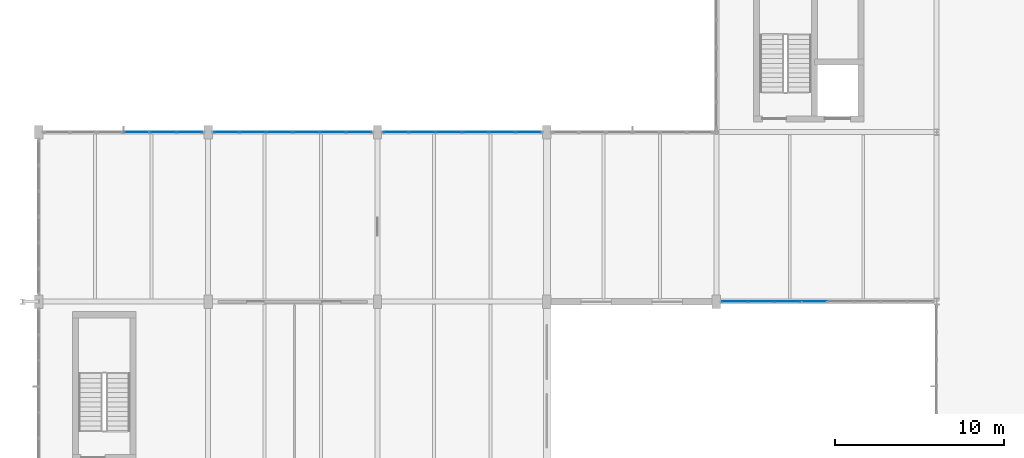
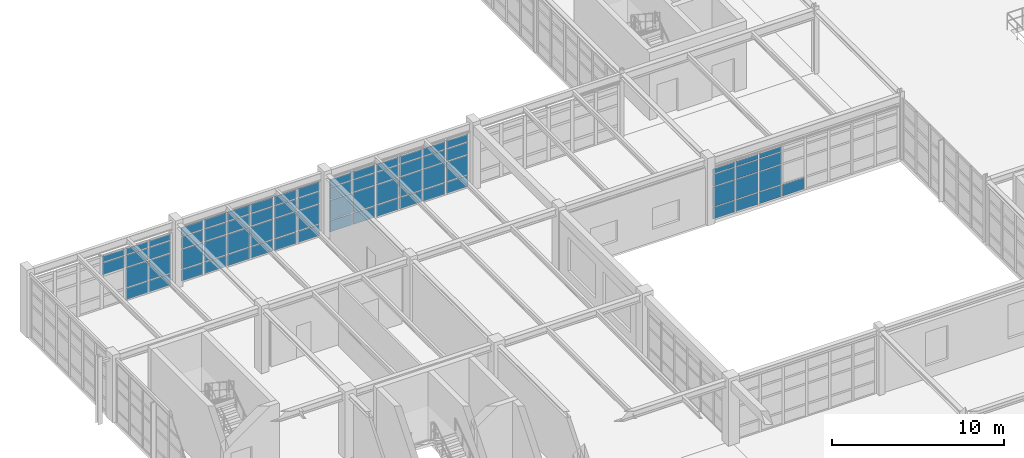
# One storey, part 89 of 139: 71 plates, 4 elements without a shape of their own.
"""IFC4 building model written with IfcOpenShell, lengths in metres."""

from ifc_helpers import new_model, si_unit, direction, frame, origin, origin_2d, place, context, subcontext, project, spatial, rectangle, extrude, material, layer, layer_set, type_object, element, aggregate, save


model = new_model("IFC4")

# Units and contexts
model_context = context("Model", 3, precision=1e-05, world=origin(), true_north=direction((0.0, 1.0)))
body_context = subcontext(model_context, "Body", "Model", "MODEL_VIEW")
ifc_project = project(units=[si_unit("LENGTHUNIT", "METRE"), si_unit("AREAUNIT", "SQUARE_METRE"), si_unit("VOLUMEUNIT", "CUBIC_METRE"), si_unit("PLANEANGLEUNIT", "RADIAN"), si_unit("MASSUNIT", "GRAM", prefix="KILO"), si_unit("THERMODYNAMICTEMPERATUREUNIT", "KELVIN"), si_unit("POWERUNIT", "WATT")], contexts=[model_context])

# Site, building, storey
site_placement = place(None, origin())
site = spatial("IfcSite", under=ifc_project, at=site_placement, CompositionType="ELEMENT")
building_placement = place(site_placement, origin())
building = spatial("IfcBuilding", under=site, at=building_placement, Name="Korenveer Ferry Terminal", CompositionType="ELEMENT")
storey_placement = place(building_placement, frame((0.0, 0.0, 5.39990234375)))
storey = spatial("IfcBuildingStorey", under=building, at=storey_placement, Name="L01", CompositionType="ELEMENT", Elevation=5.39990234375)

# Curtain wall, plates
ifc_material_1 = material(Name="Unitised bronze-and-glass curtain wall", Category="glass")
ifc_layer_1 = layer(ifc_material_1, 0.159912109375)
ifc_layer_set_1 = layer_set([ifc_layer_1], Name="Unitised bronze-and-glass curtain wall")
curtain_wall_type_1 = type_object("IfcCurtainWallType", Name="ENV-CW-46", PredefinedType="USERDEFINED", material=ifc_layer_set_1)
curtain_wall_1_placement = place(storey_placement, frame((40.280029296875, 70.0, 0.0)))
curtain_wall_1 = element("IfcCurtainWall", 1, at=curtain_wall_1_placement, inside=storey, type_object=curtain_wall_type_1, Name="Lancet curtain wall CWX-L01-X40-53-Y70-70", ObjectType="UNITISED CURTAIN WALL", PredefinedType="USERDEFINED")
ifc_material_2 = material(Name="Low-iron solar-control double glazing", Category="glass")
ifc_layer_2 = layer(ifc_material_2, 0.028076171875)
ifc_layer_set_2 = layer_set([ifc_layer_2], Name="Low-iron solar-control double glazing")
plate_type_1 = type_object("IfcPlateType", Name="ENV-CWP-GLZ28", PredefinedType="CURTAIN_PANEL", material=ifc_layer_set_2)
plate_1_placement = place(storey_placement, frame((41.078857421875, 70.0, 0.06005859375), z_axis=(0.0, 0.0, 1.0), x_axis=(1.0, 0.0, 0.0)))
plate_1 = element("IfcPlate", 2, at=plate_1_placement, type_object=plate_type_1, Name="CW-46 panel 1.1", PredefinedType="CURTAIN_PANEL", context=body_context, shape_type="SweptSolid", body=[
    extrude(rectangle(XDim=1.4775390625, YDim=0.028076171875, at=origin_2d()), origin(), (0.0, 0.0, 1.0), 0.81005859375),
])
plate_2_placement = place(storey_placement, frame((41.078857421875, 70.0, 0.93017578125), z_axis=(0.0, 0.0, 1.0), x_axis=(1.0, 0.0, 0.0)))
plate_2 = element("IfcPlate", 3, at=plate_2_placement, type_object=plate_type_1, Name="CW-46 panel 1.2", PredefinedType="CURTAIN_PANEL", context=body_context, shape_type="SweptSolid", body=[
    extrude(rectangle(XDim=1.4775390625, YDim=0.028076171875, at=origin_2d()), origin(), (0.0, 0.0, 1.0), 1.389892578125),
])
plate_3_placement = place(storey_placement, frame((41.078857421875, 70.0, 2.3798828125), z_axis=(0.0, 0.0, 1.0), x_axis=(1.0, 0.0, 0.0)))
plate_3 = element("IfcPlate", 4, at=plate_3_placement, type_object=plate_type_1, Name="CW-46 panel 1.3", PredefinedType="CURTAIN_PANEL", context=body_context, shape_type="SweptSolid", body=[
    extrude(rectangle(XDim=1.4775390625, YDim=0.028076171875, at=origin_2d()), origin(), (0.0, 0.0, 1.0), 0.840087890625),
])
plate_4_placement = place(storey_placement, frame((41.078857421875, 70.0, 3.280029296875), z_axis=(0.0, 0.0, 1.0), x_axis=(1.0, 0.0, 0.0)))
plate_4 = element("IfcPlate", 5, at=plate_4_placement, type_object=plate_type_1, Name="CW-46 panel 1.4", PredefinedType="CURTAIN_PANEL", context=body_context, shape_type="SweptSolid", body=[
    extrude(rectangle(XDim=1.4775390625, YDim=0.028076171875, at=origin_2d()), origin(), (0.0, 0.0, 1.0), 0.330078125),
])
plate_5_placement = place(storey_placement, frame((42.63134765625, 70.0, 0.06005859375), z_axis=(0.0, 0.0, 1.0), x_axis=(1.0, 0.0, 0.0)))
plate_5 = element("IfcPlate", 6, at=plate_5_placement, type_object=plate_type_1, Name="CW-46 panel 2.1", PredefinedType="CURTAIN_PANEL", context=body_context, shape_type="SweptSolid", body=[
    extrude(rectangle(XDim=1.507568359375, YDim=0.028076171875, at=origin_2d()), origin(), (0.0, 0.0, 1.0), 0.81005859375),
])
plate_6_placement = place(storey_placement, frame((42.63134765625, 70.0, 0.93017578125), z_axis=(0.0, 0.0, 1.0), x_axis=(1.0, 0.0, 0.0)))
plate_6 = element("IfcPlate", 7, at=plate_6_placement, type_object=plate_type_1, Name="CW-46 panel 2.2", PredefinedType="CURTAIN_PANEL", context=body_context, shape_type="SweptSolid", body=[
    extrude(rectangle(XDim=1.507568359375, YDim=0.028076171875, at=origin_2d()), origin(), (0.0, 0.0, 1.0), 1.389892578125),
])
plate_7_placement = place(storey_placement, frame((42.63134765625, 70.0, 2.3798828125), z_axis=(0.0, 0.0, 1.0), x_axis=(1.0, 0.0, 0.0)))
plate_7 = element("IfcPlate", 8, at=plate_7_placement, type_object=plate_type_1, Name="CW-46 panel 2.3", PredefinedType="CURTAIN_PANEL", context=body_context, shape_type="SweptSolid", body=[
    extrude(rectangle(XDim=1.507568359375, YDim=0.028076171875, at=origin_2d()), origin(), (0.0, 0.0, 1.0), 0.840087890625),
])
plate_8_placement = place(storey_placement, frame((42.63134765625, 70.0, 3.280029296875), z_axis=(0.0, 0.0, 1.0), x_axis=(1.0, 0.0, 0.0)))
plate_8 = element("IfcPlate", 9, at=plate_8_placement, type_object=plate_type_1, Name="CW-46 panel 2.4", PredefinedType="CURTAIN_PANEL", context=body_context, shape_type="SweptSolid", body=[
    extrude(rectangle(XDim=1.507568359375, YDim=0.028076171875, at=origin_2d()), origin(), (0.0, 0.0, 1.0), 0.330078125),
])
plate_9_placement = place(storey_placement, frame((44.19873046875, 70.0, 0.06005859375), z_axis=(0.0, 0.0, 1.0), x_axis=(1.0, 0.0, 0.0)))
plate_9 = element("IfcPlate", 10, at=plate_9_placement, type_object=plate_type_1, Name="CW-46 panel 3.1", PredefinedType="CURTAIN_PANEL", context=body_context, shape_type="SweptSolid", body=[
    extrude(rectangle(XDim=1.507568359375, YDim=0.028076171875, at=origin_2d()), origin(), (0.0, 0.0, 1.0), 0.81005859375),
])
plate_10_placement = place(storey_placement, frame((44.19873046875, 70.0, 0.93017578125), z_axis=(0.0, 0.0, 1.0), x_axis=(1.0, 0.0, 0.0)))
plate_10 = element("IfcPlate", 11, at=plate_10_placement, type_object=plate_type_1, Name="CW-46 panel 3.2", PredefinedType="CURTAIN_PANEL", context=body_context, shape_type="SweptSolid", body=[
    extrude(rectangle(XDim=1.507568359375, YDim=0.028076171875, at=origin_2d()), origin(), (0.0, 0.0, 1.0), 1.389892578125),
])
plate_11_placement = place(storey_placement, frame((44.19873046875, 70.0, 2.3798828125), z_axis=(0.0, 0.0, 1.0), x_axis=(1.0, 0.0, 0.0)))
plate_11 = element("IfcPlate", 12, at=plate_11_placement, type_object=plate_type_1, Name="CW-46 panel 3.3", PredefinedType="CURTAIN_PANEL", context=body_context, shape_type="SweptSolid", body=[
    extrude(rectangle(XDim=1.507568359375, YDim=0.028076171875, at=origin_2d()), origin(), (0.0, 0.0, 1.0), 0.840087890625),
])
plate_12_placement = place(storey_placement, frame((44.19873046875, 70.0, 3.280029296875), z_axis=(0.0, 0.0, 1.0), x_axis=(1.0, 0.0, 0.0)))
plate_12 = element("IfcPlate", 13, at=plate_12_placement, type_object=plate_type_1, Name="CW-46 panel 3.4", PredefinedType="CURTAIN_PANEL", context=body_context, shape_type="SweptSolid", body=[
    extrude(rectangle(XDim=1.507568359375, YDim=0.028076171875, at=origin_2d()), origin(), (0.0, 0.0, 1.0), 0.330078125),
])
plate_13_placement = place(storey_placement, frame((45.766357421875, 70.0, 0.06005859375), z_axis=(0.0, 0.0, 1.0), x_axis=(1.0, 0.0, 0.0)))
plate_13 = element("IfcPlate", 14, at=plate_13_placement, type_object=plate_type_1, Name="CW-46 panel 4.1", PredefinedType="CURTAIN_PANEL", context=body_context, shape_type="SweptSolid", body=[
    extrude(rectangle(XDim=1.507568359375, YDim=0.028076171875, at=origin_2d()), origin(), (0.0, 0.0, 1.0), 0.81005859375),
])
aggregate(curtain_wall_1, [plate_1, plate_2, plate_3, plate_4, plate_5, plate_6, plate_7, plate_8, plate_9, plate_10, plate_11, plate_12, plate_13])

ifc_layer_3 = layer(ifc_material_1, 0.219970703125)
ifc_layer_set_3 = layer_set([ifc_layer_3], Name="Unitised bronze-and-glass curtain wall")
curtain_wall_type_2 = type_object("IfcCurtainWallType", Name="ENV-CW-48", PredefinedType="USERDEFINED", material=ifc_layer_set_3)
curtain_wall_2_placement = place(storey_placement, frame((0.280029296875, 80.0, 0.0)))
curtain_wall_2 = element("IfcCurtainWall", 15, at=curtain_wall_2_placement, inside=storey, type_object=curtain_wall_type_2, Name="Lancet curtain wall CWX-L01-X0-10-Y80-80", ObjectType="UNITISED CURTAIN WALL", PredefinedType="USERDEFINED")
ifc_material_3 = material(Name="Acoustic laminated marine glazing", Category="glass")
ifc_layer_4 = layer(ifc_material_3, 0.035888671875)
ifc_layer_set_4 = layer_set([ifc_layer_4], Name="Acoustic laminated marine glazing")
plate_type_2 = type_object("IfcPlateType", Name="ENV-CWP-GLZ36", PredefinedType="CURTAIN_PANEL", material=ifc_layer_set_4)
plate_14_placement = place(storey_placement, frame((5.78662109375, 80.0, 2.3876953125), z_axis=(0.0, 0.0, 1.0), x_axis=(1.0, 0.0, 0.0)))
plate_14 = element("IfcPlate", 16, at=plate_14_placement, type_object=plate_type_2, Name="CW-48 panel 4.3", PredefinedType="CURTAIN_PANEL", context=body_context, shape_type="SweptSolid", body=[
    extrude(rectangle(XDim=1.498291015625, YDim=0.035888671875, at=origin_2d()), origin(), (0.0, 0.0, 1.0), 0.824951171875),
])
plate_15_placement = place(storey_placement, frame((5.78662109375, 80.0, 3.28759765625), z_axis=(0.0, 0.0, 1.0), x_axis=(1.0, 0.0, 0.0)))
plate_15 = element("IfcPlate", 17, at=plate_15_placement, type_object=plate_type_2, Name="CW-48 panel 4.4", PredefinedType="CURTAIN_PANEL", context=body_context, shape_type="SweptSolid", body=[
    extrude(rectangle(XDim=1.498291015625, YDim=0.035888671875, at=origin_2d()), origin(), (0.0, 0.0, 1.0), 0.407470703125),
])
plate_16_placement = place(storey_placement, frame((7.360107421875, 80.0, 0.074951171875), z_axis=(0.0, 0.0, 1.0), x_axis=(1.0, 0.0, 0.0)))
plate_16 = element("IfcPlate", 18, at=plate_16_placement, type_object=plate_type_2, Name="CW-48 panel 5.1", PredefinedType="CURTAIN_PANEL", context=body_context, shape_type="SweptSolid", body=[
    extrude(rectangle(XDim=1.498291015625, YDim=0.035888671875, at=origin_2d()), origin(), (0.0, 0.0, 1.0), 0.78759765625),
])
plate_17_placement = place(storey_placement, frame((7.360107421875, 80.0, 0.9375), z_axis=(0.0, 0.0, 1.0), x_axis=(1.0, 0.0, 0.0)))
plate_17 = element("IfcPlate", 19, at=plate_17_placement, type_object=plate_type_2, Name="CW-48 panel 5.2", PredefinedType="CURTAIN_PANEL", context=body_context, shape_type="SweptSolid", body=[
    extrude(rectangle(XDim=1.498291015625, YDim=0.035888671875, at=origin_2d()), origin(), (0.0, 0.0, 1.0), 1.375),
])
plate_18_placement = place(storey_placement, frame((7.360107421875, 80.0, 2.3876953125), z_axis=(0.0, 0.0, 1.0), x_axis=(1.0, 0.0, 0.0)))
plate_18 = element("IfcPlate", 20, at=plate_18_placement, type_object=plate_type_2, Name="CW-48 panel 5.3", PredefinedType="CURTAIN_PANEL", context=body_context, shape_type="SweptSolid", body=[
    extrude(rectangle(XDim=1.498291015625, YDim=0.035888671875, at=origin_2d()), origin(), (0.0, 0.0, 1.0), 0.824951171875),
])
plate_19_placement = place(storey_placement, frame((7.360107421875, 80.0, 3.28759765625), z_axis=(0.0, 0.0, 1.0), x_axis=(1.0, 0.0, 0.0)))
plate_19 = element("IfcPlate", 21, at=plate_19_placement, type_object=plate_type_2, Name="CW-48 panel 5.4", PredefinedType="CURTAIN_PANEL", context=body_context, shape_type="SweptSolid", body=[
    extrude(rectangle(XDim=1.498291015625, YDim=0.035888671875, at=origin_2d()), origin(), (0.0, 0.0, 1.0), 0.407470703125),
])
plate_20_placement = place(storey_placement, frame((8.91455078125, 80.0, 0.074951171875), z_axis=(0.0, 0.0, 1.0), x_axis=(1.0, 0.0, 0.0)))
plate_20 = element("IfcPlate", 22, at=plate_20_placement, type_object=plate_type_2, Name="CW-48 panel 6.1", PredefinedType="CURTAIN_PANEL", context=body_context, shape_type="SweptSolid", body=[
    extrude(rectangle(XDim=1.4609375, YDim=0.035888671875, at=origin_2d()), origin(), (0.0, 0.0, 1.0), 0.78759765625),
])
plate_21_placement = place(storey_placement, frame((8.91455078125, 80.0, 0.9375), z_axis=(0.0, 0.0, 1.0), x_axis=(1.0, 0.0, 0.0)))
plate_21 = element("IfcPlate", 23, at=plate_21_placement, type_object=plate_type_2, Name="CW-48 panel 6.2", PredefinedType="CURTAIN_PANEL", context=body_context, shape_type="SweptSolid", body=[
    extrude(rectangle(XDim=1.4609375, YDim=0.035888671875, at=origin_2d()), origin(), (0.0, 0.0, 1.0), 1.375),
])
plate_22_placement = place(storey_placement, frame((8.91455078125, 80.0, 2.3876953125), z_axis=(0.0, 0.0, 1.0), x_axis=(1.0, 0.0, 0.0)))
plate_22 = element("IfcPlate", 24, at=plate_22_placement, type_object=plate_type_2, Name="CW-48 panel 6.3", PredefinedType="CURTAIN_PANEL", context=body_context, shape_type="SweptSolid", body=[
    extrude(rectangle(XDim=1.4609375, YDim=0.035888671875, at=origin_2d()), origin(), (0.0, 0.0, 1.0), 0.824951171875),
])
plate_23_placement = place(storey_placement, frame((8.91455078125, 80.0, 3.28759765625), z_axis=(0.0, 0.0, 1.0), x_axis=(1.0, 0.0, 0.0)))
plate_23 = element("IfcPlate", 25, at=plate_23_placement, type_object=plate_type_2, Name="CW-48 panel 6.4", PredefinedType="CURTAIN_PANEL", context=body_context, shape_type="SweptSolid", body=[
    extrude(rectangle(XDim=1.4609375, YDim=0.035888671875, at=origin_2d()), origin(), (0.0, 0.0, 1.0), 0.407470703125),
])
aggregate(curtain_wall_2, [plate_14, plate_15, plate_16, plate_17, plate_18, plate_19, plate_20, plate_21, plate_22, plate_23])

ifc_layer_5 = layer(ifc_material_1, 0.219970703125)
ifc_layer_set_5 = layer_set([ifc_layer_5], Name="Unitised bronze-and-glass curtain wall")
curtain_wall_type_3 = type_object("IfcCurtainWallType", Name="ENV-CW-49", PredefinedType="USERDEFINED", material=ifc_layer_set_5)
curtain_wall_3_placement = place(storey_placement, frame((10.280029296875, 80.0, 0.0)))
curtain_wall_3 = element("IfcCurtainWall", 26, at=curtain_wall_3_placement, inside=storey, type_object=curtain_wall_type_3, Name="Lancet curtain wall CWX-L01-X10-20-Y80-80", ObjectType="UNITISED CURTAIN WALL", PredefinedType="USERDEFINED")
plate_24_placement = place(storey_placement, frame((11.08544921875, 80.0, 0.074951171875), z_axis=(0.0, 0.0, 1.0), x_axis=(1.0, 0.0, 0.0)))
plate_24 = element("IfcPlate", 27, at=plate_24_placement, type_object=plate_type_2, Name="CW-49 panel 1.1", PredefinedType="CURTAIN_PANEL", context=body_context, shape_type="SweptSolid", body=[
    extrude(rectangle(XDim=1.4609375, YDim=0.035888671875, at=origin_2d()), origin(), (0.0, 0.0, 1.0), 0.78759765625),
])
plate_25_placement = place(storey_placement, frame((11.08544921875, 80.0, 0.9375), z_axis=(0.0, 0.0, 1.0), x_axis=(1.0, 0.0, 0.0)))
plate_25 = element("IfcPlate", 28, at=plate_25_placement, type_object=plate_type_2, Name="CW-49 panel 1.2", PredefinedType="CURTAIN_PANEL", context=body_context, shape_type="SweptSolid", body=[
    extrude(rectangle(XDim=1.4609375, YDim=0.035888671875, at=origin_2d()), origin(), (0.0, 0.0, 1.0), 1.375),
])
plate_26_placement = place(storey_placement, frame((11.08544921875, 80.0, 2.3876953125), z_axis=(0.0, 0.0, 1.0), x_axis=(1.0, 0.0, 0.0)))
plate_26 = element("IfcPlate", 29, at=plate_26_placement, type_object=plate_type_2, Name="CW-49 panel 1.3", PredefinedType="CURTAIN_PANEL", context=body_context, shape_type="SweptSolid", body=[
    extrude(rectangle(XDim=1.4609375, YDim=0.035888671875, at=origin_2d()), origin(), (0.0, 0.0, 1.0), 0.824951171875),
])
plate_27_placement = place(storey_placement, frame((11.08544921875, 80.0, 3.28759765625), z_axis=(0.0, 0.0, 1.0), x_axis=(1.0, 0.0, 0.0)))
plate_27 = element("IfcPlate", 30, at=plate_27_placement, type_object=plate_type_2, Name="CW-49 panel 1.4", PredefinedType="CURTAIN_PANEL", context=body_context, shape_type="SweptSolid", body=[
    extrude(rectangle(XDim=1.4609375, YDim=0.035888671875, at=origin_2d()), origin(), (0.0, 0.0, 1.0), 0.607421875),
])
plate_28_placement = place(storey_placement, frame((12.639892578125, 80.0, 0.074951171875), z_axis=(0.0, 0.0, 1.0), x_axis=(1.0, 0.0, 0.0)))
plate_28 = element("IfcPlate", 31, at=plate_28_placement, type_object=plate_type_2, Name="CW-49 panel 2.1", PredefinedType="CURTAIN_PANEL", context=body_context, shape_type="SweptSolid", body=[
    extrude(rectangle(XDim=1.498291015625, YDim=0.035888671875, at=origin_2d()), origin(), (0.0, 0.0, 1.0), 0.78759765625),
])
plate_29_placement = place(storey_placement, frame((12.639892578125, 80.0, 0.9375), z_axis=(0.0, 0.0, 1.0), x_axis=(1.0, 0.0, 0.0)))
plate_29 = element("IfcPlate", 32, at=plate_29_placement, type_object=plate_type_2, Name="CW-49 panel 2.2", PredefinedType="CURTAIN_PANEL", context=body_context, shape_type="SweptSolid", body=[
    extrude(rectangle(XDim=1.498291015625, YDim=0.035888671875, at=origin_2d()), origin(), (0.0, 0.0, 1.0), 1.375),
])
plate_30_placement = place(storey_placement, frame((12.639892578125, 80.0, 2.3876953125), z_axis=(0.0, 0.0, 1.0), x_axis=(1.0, 0.0, 0.0)))
plate_30 = element("IfcPlate", 33, at=plate_30_placement, type_object=plate_type_2, Name="CW-49 panel 2.3", PredefinedType="CURTAIN_PANEL", context=body_context, shape_type="SweptSolid", body=[
    extrude(rectangle(XDim=1.498291015625, YDim=0.035888671875, at=origin_2d()), origin(), (0.0, 0.0, 1.0), 0.824951171875),
])
plate_31_placement = place(storey_placement, frame((12.639892578125, 80.0, 3.28759765625), z_axis=(0.0, 0.0, 1.0), x_axis=(1.0, 0.0, 0.0)))
plate_31 = element("IfcPlate", 34, at=plate_31_placement, type_object=plate_type_2, Name="CW-49 panel 2.4", PredefinedType="CURTAIN_PANEL", context=body_context, shape_type="SweptSolid", body=[
    extrude(rectangle(XDim=1.498291015625, YDim=0.035888671875, at=origin_2d()), origin(), (0.0, 0.0, 1.0), 0.607421875),
])
plate_32_placement = place(storey_placement, frame((14.21337890625, 80.0, 0.074951171875), z_axis=(0.0, 0.0, 1.0), x_axis=(1.0, 0.0, 0.0)))
plate_32 = element("IfcPlate", 35, at=plate_32_placement, type_object=plate_type_2, Name="CW-49 panel 3.1", PredefinedType="CURTAIN_PANEL", context=body_context, shape_type="SweptSolid", body=[
    extrude(rectangle(XDim=1.498291015625, YDim=0.035888671875, at=origin_2d()), origin(), (0.0, 0.0, 1.0), 0.78759765625),
])
plate_33_placement = place(storey_placement, frame((14.21337890625, 80.0, 0.9375), z_axis=(0.0, 0.0, 1.0), x_axis=(1.0, 0.0, 0.0)))
plate_33 = element("IfcPlate", 36, at=plate_33_placement, type_object=plate_type_2, Name="CW-49 panel 3.2", PredefinedType="CURTAIN_PANEL", context=body_context, shape_type="SweptSolid", body=[
    extrude(rectangle(XDim=1.498291015625, YDim=0.035888671875, at=origin_2d()), origin(), (0.0, 0.0, 1.0), 1.375),
])
plate_34_placement = place(storey_placement, frame((14.21337890625, 80.0, 2.3876953125), z_axis=(0.0, 0.0, 1.0), x_axis=(1.0, 0.0, 0.0)))
plate_34 = element("IfcPlate", 37, at=plate_34_placement, type_object=plate_type_2, Name="CW-49 panel 3.3", PredefinedType="CURTAIN_PANEL", context=body_context, shape_type="SweptSolid", body=[
    extrude(rectangle(XDim=1.498291015625, YDim=0.035888671875, at=origin_2d()), origin(), (0.0, 0.0, 1.0), 0.824951171875),
])
plate_35_placement = place(storey_placement, frame((14.21337890625, 80.0, 3.28759765625), z_axis=(0.0, 0.0, 1.0), x_axis=(1.0, 0.0, 0.0)))
plate_35 = element("IfcPlate", 38, at=plate_35_placement, type_object=plate_type_2, Name="CW-49 panel 3.4", PredefinedType="CURTAIN_PANEL", context=body_context, shape_type="SweptSolid", body=[
    extrude(rectangle(XDim=1.498291015625, YDim=0.035888671875, at=origin_2d()), origin(), (0.0, 0.0, 1.0), 0.607421875),
])
plate_36_placement = place(storey_placement, frame((15.78662109375, 80.0, 0.074951171875), z_axis=(0.0, 0.0, 1.0), x_axis=(1.0, 0.0, 0.0)))
plate_36 = element("IfcPlate", 39, at=plate_36_placement, type_object=plate_type_2, Name="CW-49 panel 4.1", PredefinedType="CURTAIN_PANEL", context=body_context, shape_type="SweptSolid", body=[
    extrude(rectangle(XDim=1.498291015625, YDim=0.035888671875, at=origin_2d()), origin(), (0.0, 0.0, 1.0), 0.78759765625),
])
plate_37_placement = place(storey_placement, frame((15.78662109375, 80.0, 0.9375), z_axis=(0.0, 0.0, 1.0), x_axis=(1.0, 0.0, 0.0)))
plate_37 = element("IfcPlate", 40, at=plate_37_placement, type_object=plate_type_2, Name="CW-49 panel 4.2", PredefinedType="CURTAIN_PANEL", context=body_context, shape_type="SweptSolid", body=[
    extrude(rectangle(XDim=1.498291015625, YDim=0.035888671875, at=origin_2d()), origin(), (0.0, 0.0, 1.0), 1.375),
])
plate_38_placement = place(storey_placement, frame((15.78662109375, 80.0, 2.3876953125), z_axis=(0.0, 0.0, 1.0), x_axis=(1.0, 0.0, 0.0)))
plate_38 = element("IfcPlate", 41, at=plate_38_placement, type_object=plate_type_2, Name="CW-49 panel 4.3", PredefinedType="CURTAIN_PANEL", context=body_context, shape_type="SweptSolid", body=[
    extrude(rectangle(XDim=1.498291015625, YDim=0.035888671875, at=origin_2d()), origin(), (0.0, 0.0, 1.0), 0.824951171875),
])
plate_39_placement = place(storey_placement, frame((15.78662109375, 80.0, 3.28759765625), z_axis=(0.0, 0.0, 1.0), x_axis=(1.0, 0.0, 0.0)))
plate_39 = element("IfcPlate", 42, at=plate_39_placement, type_object=plate_type_2, Name="CW-49 panel 4.4", PredefinedType="CURTAIN_PANEL", context=body_context, shape_type="SweptSolid", body=[
    extrude(rectangle(XDim=1.498291015625, YDim=0.035888671875, at=origin_2d()), origin(), (0.0, 0.0, 1.0), 0.607421875),
])
plate_40_placement = place(storey_placement, frame((17.360107421875, 80.0, 0.074951171875), z_axis=(0.0, 0.0, 1.0), x_axis=(1.0, 0.0, 0.0)))
plate_40 = element("IfcPlate", 43, at=plate_40_placement, type_object=plate_type_2, Name="CW-49 panel 5.1", PredefinedType="CURTAIN_PANEL", context=body_context, shape_type="SweptSolid", body=[
    extrude(rectangle(XDim=1.498291015625, YDim=0.035888671875, at=origin_2d()), origin(), (0.0, 0.0, 1.0), 0.78759765625),
])
plate_41_placement = place(storey_placement, frame((17.360107421875, 80.0, 0.9375), z_axis=(0.0, 0.0, 1.0), x_axis=(1.0, 0.0, 0.0)))
plate_41 = element("IfcPlate", 44, at=plate_41_placement, type_object=plate_type_2, Name="CW-49 panel 5.2", PredefinedType="CURTAIN_PANEL", context=body_context, shape_type="SweptSolid", body=[
    extrude(rectangle(XDim=1.498291015625, YDim=0.035888671875, at=origin_2d()), origin(), (0.0, 0.0, 1.0), 1.375),
])
plate_42_placement = place(storey_placement, frame((17.360107421875, 80.0, 2.3876953125), z_axis=(0.0, 0.0, 1.0), x_axis=(1.0, 0.0, 0.0)))
plate_42 = element("IfcPlate", 45, at=plate_42_placement, type_object=plate_type_2, Name="CW-49 panel 5.3", PredefinedType="CURTAIN_PANEL", context=body_context, shape_type="SweptSolid", body=[
    extrude(rectangle(XDim=1.498291015625, YDim=0.035888671875, at=origin_2d()), origin(), (0.0, 0.0, 1.0), 0.824951171875),
])
plate_43_placement = place(storey_placement, frame((17.360107421875, 80.0, 3.28759765625), z_axis=(0.0, 0.0, 1.0), x_axis=(1.0, 0.0, 0.0)))
plate_43 = element("IfcPlate", 46, at=plate_43_placement, type_object=plate_type_2, Name="CW-49 panel 5.4", PredefinedType="CURTAIN_PANEL", context=body_context, shape_type="SweptSolid", body=[
    extrude(rectangle(XDim=1.498291015625, YDim=0.035888671875, at=origin_2d()), origin(), (0.0, 0.0, 1.0), 0.607421875),
])
plate_44_placement = place(storey_placement, frame((18.91455078125, 80.0, 0.074951171875), z_axis=(0.0, 0.0, 1.0), x_axis=(1.0, 0.0, 0.0)))
plate_44 = element("IfcPlate", 47, at=plate_44_placement, type_object=plate_type_2, Name="CW-49 panel 6.1", PredefinedType="CURTAIN_PANEL", context=body_context, shape_type="SweptSolid", body=[
    extrude(rectangle(XDim=1.4609375, YDim=0.035888671875, at=origin_2d()), origin(), (0.0, 0.0, 1.0), 0.78759765625),
])
plate_45_placement = place(storey_placement, frame((18.91455078125, 80.0, 0.9375), z_axis=(0.0, 0.0, 1.0), x_axis=(1.0, 0.0, 0.0)))
plate_45 = element("IfcPlate", 48, at=plate_45_placement, type_object=plate_type_2, Name="CW-49 panel 6.2", PredefinedType="CURTAIN_PANEL", context=body_context, shape_type="SweptSolid", body=[
    extrude(rectangle(XDim=1.4609375, YDim=0.035888671875, at=origin_2d()), origin(), (0.0, 0.0, 1.0), 1.375),
])
plate_46_placement = place(storey_placement, frame((18.91455078125, 80.0, 2.3876953125), z_axis=(0.0, 0.0, 1.0), x_axis=(1.0, 0.0, 0.0)))
plate_46 = element("IfcPlate", 49, at=plate_46_placement, type_object=plate_type_2, Name="CW-49 panel 6.3", PredefinedType="CURTAIN_PANEL", context=body_context, shape_type="SweptSolid", body=[
    extrude(rectangle(XDim=1.4609375, YDim=0.035888671875, at=origin_2d()), origin(), (0.0, 0.0, 1.0), 0.824951171875),
])
plate_47_placement = place(storey_placement, frame((18.91455078125, 80.0, 3.28759765625), z_axis=(0.0, 0.0, 1.0), x_axis=(1.0, 0.0, 0.0)))
plate_47 = element("IfcPlate", 50, at=plate_47_placement, type_object=plate_type_2, Name="CW-49 panel 6.4", PredefinedType="CURTAIN_PANEL", context=body_context, shape_type="SweptSolid", body=[
    extrude(rectangle(XDim=1.4609375, YDim=0.035888671875, at=origin_2d()), origin(), (0.0, 0.0, 1.0), 0.607421875),
])
aggregate(curtain_wall_3, [plate_24, plate_25, plate_26, plate_27, plate_28, plate_29, plate_30, plate_31, plate_32, plate_33, plate_34, plate_35, plate_36, plate_37, plate_38, plate_39, plate_40, plate_41, plate_42, plate_43, plate_44, plate_45, plate_46, plate_47])

ifc_layer_6 = layer(ifc_material_1, 0.219970703125)
ifc_layer_set_6 = layer_set([ifc_layer_6], Name="Unitised bronze-and-glass curtain wall")
curtain_wall_type_4 = type_object("IfcCurtainWallType", Name="ENV-CW-50", PredefinedType="USERDEFINED", material=ifc_layer_set_6)
curtain_wall_4_placement = place(storey_placement, frame((20.280029296875, 80.0, 0.0)))
curtain_wall_4 = element("IfcCurtainWall", 51, at=curtain_wall_4_placement, inside=storey, type_object=curtain_wall_type_4, Name="Lancet curtain wall CWX-L01-X20-30-Y80-80", ObjectType="UNITISED CURTAIN WALL", PredefinedType="USERDEFINED")
plate_48_placement = place(storey_placement, frame((21.08544921875, 80.0, 0.074951171875), z_axis=(0.0, 0.0, 1.0), x_axis=(1.0, 0.0, 0.0)))
plate_48 = element("IfcPlate", 52, at=plate_48_placement, type_object=plate_type_2, Name="CW-50 panel 1.1", PredefinedType="CURTAIN_PANEL", context=body_context, shape_type="SweptSolid", body=[
    extrude(rectangle(XDim=1.4609375, YDim=0.035888671875, at=origin_2d()), origin(), (0.0, 0.0, 1.0), 0.78759765625),
])
plate_49_placement = place(storey_placement, frame((21.08544921875, 80.0, 0.9375), z_axis=(0.0, 0.0, 1.0), x_axis=(1.0, 0.0, 0.0)))
plate_49 = element("IfcPlate", 53, at=plate_49_placement, type_object=plate_type_2, Name="CW-50 panel 1.2", PredefinedType="CURTAIN_PANEL", context=body_context, shape_type="SweptSolid", body=[
    extrude(rectangle(XDim=1.4609375, YDim=0.035888671875, at=origin_2d()), origin(), (0.0, 0.0, 1.0), 1.375),
])
plate_50_placement = place(storey_placement, frame((21.08544921875, 80.0, 2.3876953125), z_axis=(0.0, 0.0, 1.0), x_axis=(1.0, 0.0, 0.0)))
plate_50 = element("IfcPlate", 54, at=plate_50_placement, type_object=plate_type_2, Name="CW-50 panel 1.3", PredefinedType="CURTAIN_PANEL", context=body_context, shape_type="SweptSolid", body=[
    extrude(rectangle(XDim=1.4609375, YDim=0.035888671875, at=origin_2d()), origin(), (0.0, 0.0, 1.0), 0.824951171875),
])
plate_51_placement = place(storey_placement, frame((21.08544921875, 80.0, 3.28759765625), z_axis=(0.0, 0.0, 1.0), x_axis=(1.0, 0.0, 0.0)))
plate_51 = element("IfcPlate", 55, at=plate_51_placement, type_object=plate_type_2, Name="CW-50 panel 1.4", PredefinedType="CURTAIN_PANEL", context=body_context, shape_type="SweptSolid", body=[
    extrude(rectangle(XDim=1.4609375, YDim=0.035888671875, at=origin_2d()), origin(), (0.0, 0.0, 1.0), 0.507568359375),
])
plate_52_placement = place(storey_placement, frame((22.639892578125, 80.0, 0.074951171875), z_axis=(0.0, 0.0, 1.0), x_axis=(1.0, 0.0, 0.0)))
plate_52 = element("IfcPlate", 56, at=plate_52_placement, type_object=plate_type_2, Name="CW-50 panel 2.1", PredefinedType="CURTAIN_PANEL", context=body_context, shape_type="SweptSolid", body=[
    extrude(rectangle(XDim=1.498291015625, YDim=0.035888671875, at=origin_2d()), origin(), (0.0, 0.0, 1.0), 0.78759765625),
])
plate_53_placement = place(storey_placement, frame((22.639892578125, 80.0, 0.9375), z_axis=(0.0, 0.0, 1.0), x_axis=(1.0, 0.0, 0.0)))
plate_53 = element("IfcPlate", 57, at=plate_53_placement, type_object=plate_type_2, Name="CW-50 panel 2.2", PredefinedType="CURTAIN_PANEL", context=body_context, shape_type="SweptSolid", body=[
    extrude(rectangle(XDim=1.498291015625, YDim=0.035888671875, at=origin_2d()), origin(), (0.0, 0.0, 1.0), 1.375),
])
plate_54_placement = place(storey_placement, frame((22.639892578125, 80.0, 2.3876953125), z_axis=(0.0, 0.0, 1.0), x_axis=(1.0, 0.0, 0.0)))
plate_54 = element("IfcPlate", 58, at=plate_54_placement, type_object=plate_type_2, Name="CW-50 panel 2.3", PredefinedType="CURTAIN_PANEL", context=body_context, shape_type="SweptSolid", body=[
    extrude(rectangle(XDim=1.498291015625, YDim=0.035888671875, at=origin_2d()), origin(), (0.0, 0.0, 1.0), 0.824951171875),
])
plate_55_placement = place(storey_placement, frame((22.639892578125, 80.0, 3.28759765625), z_axis=(0.0, 0.0, 1.0), x_axis=(1.0, 0.0, 0.0)))
plate_55 = element("IfcPlate", 59, at=plate_55_placement, type_object=plate_type_2, Name="CW-50 panel 2.4", PredefinedType="CURTAIN_PANEL", context=body_context, shape_type="SweptSolid", body=[
    extrude(rectangle(XDim=1.498291015625, YDim=0.035888671875, at=origin_2d()), origin(), (0.0, 0.0, 1.0), 0.507568359375),
])
plate_56_placement = place(storey_placement, frame((24.21337890625, 80.0, 0.074951171875), z_axis=(0.0, 0.0, 1.0), x_axis=(1.0, 0.0, 0.0)))
plate_56 = element("IfcPlate", 60, at=plate_56_placement, type_object=plate_type_2, Name="CW-50 panel 3.1", PredefinedType="CURTAIN_PANEL", context=body_context, shape_type="SweptSolid", body=[
    extrude(rectangle(XDim=1.498291015625, YDim=0.035888671875, at=origin_2d()), origin(), (0.0, 0.0, 1.0), 0.78759765625),
])
plate_57_placement = place(storey_placement, frame((24.21337890625, 80.0, 0.9375), z_axis=(0.0, 0.0, 1.0), x_axis=(1.0, 0.0, 0.0)))
plate_57 = element("IfcPlate", 61, at=plate_57_placement, type_object=plate_type_2, Name="CW-50 panel 3.2", PredefinedType="CURTAIN_PANEL", context=body_context, shape_type="SweptSolid", body=[
    extrude(rectangle(XDim=1.498291015625, YDim=0.035888671875, at=origin_2d()), origin(), (0.0, 0.0, 1.0), 1.375),
])
plate_58_placement = place(storey_placement, frame((24.21337890625, 80.0, 2.3876953125), z_axis=(0.0, 0.0, 1.0), x_axis=(1.0, 0.0, 0.0)))
plate_58 = element("IfcPlate", 62, at=plate_58_placement, type_object=plate_type_2, Name="CW-50 panel 3.3", PredefinedType="CURTAIN_PANEL", context=body_context, shape_type="SweptSolid", body=[
    extrude(rectangle(XDim=1.498291015625, YDim=0.035888671875, at=origin_2d()), origin(), (0.0, 0.0, 1.0), 0.824951171875),
])
plate_59_placement = place(storey_placement, frame((24.21337890625, 80.0, 3.28759765625), z_axis=(0.0, 0.0, 1.0), x_axis=(1.0, 0.0, 0.0)))
plate_59 = element("IfcPlate", 63, at=plate_59_placement, type_object=plate_type_2, Name="CW-50 panel 3.4", PredefinedType="CURTAIN_PANEL", context=body_context, shape_type="SweptSolid", body=[
    extrude(rectangle(XDim=1.498291015625, YDim=0.035888671875, at=origin_2d()), origin(), (0.0, 0.0, 1.0), 0.507568359375),
])
plate_60_placement = place(storey_placement, frame((25.78662109375, 80.0, 0.074951171875), z_axis=(0.0, 0.0, 1.0), x_axis=(1.0, 0.0, 0.0)))
plate_60 = element("IfcPlate", 64, at=plate_60_placement, type_object=plate_type_2, Name="CW-50 panel 4.1", PredefinedType="CURTAIN_PANEL", context=body_context, shape_type="SweptSolid", body=[
    extrude(rectangle(XDim=1.498291015625, YDim=0.035888671875, at=origin_2d()), origin(), (0.0, 0.0, 1.0), 0.78759765625),
])
plate_61_placement = place(storey_placement, frame((25.78662109375, 80.0, 0.9375), z_axis=(0.0, 0.0, 1.0), x_axis=(1.0, 0.0, 0.0)))
plate_61 = element("IfcPlate", 65, at=plate_61_placement, type_object=plate_type_2, Name="CW-50 panel 4.2", PredefinedType="CURTAIN_PANEL", context=body_context, shape_type="SweptSolid", body=[
    extrude(rectangle(XDim=1.498291015625, YDim=0.035888671875, at=origin_2d()), origin(), (0.0, 0.0, 1.0), 1.375),
])
plate_62_placement = place(storey_placement, frame((25.78662109375, 80.0, 2.3876953125), z_axis=(0.0, 0.0, 1.0), x_axis=(1.0, 0.0, 0.0)))
plate_62 = element("IfcPlate", 66, at=plate_62_placement, type_object=plate_type_2, Name="CW-50 panel 4.3", PredefinedType="CURTAIN_PANEL", context=body_context, shape_type="SweptSolid", body=[
    extrude(rectangle(XDim=1.498291015625, YDim=0.035888671875, at=origin_2d()), origin(), (0.0, 0.0, 1.0), 0.824951171875),
])
plate_63_placement = place(storey_placement, frame((25.78662109375, 80.0, 3.28759765625), z_axis=(0.0, 0.0, 1.0), x_axis=(1.0, 0.0, 0.0)))
plate_63 = element("IfcPlate", 67, at=plate_63_placement, type_object=plate_type_2, Name="CW-50 panel 4.4", PredefinedType="CURTAIN_PANEL", context=body_context, shape_type="SweptSolid", body=[
    extrude(rectangle(XDim=1.498291015625, YDim=0.035888671875, at=origin_2d()), origin(), (0.0, 0.0, 1.0), 0.507568359375),
])
plate_64_placement = place(storey_placement, frame((27.360107421875, 80.0, 0.074951171875), z_axis=(0.0, 0.0, 1.0), x_axis=(1.0, 0.0, 0.0)))
plate_64 = element("IfcPlate", 68, at=plate_64_placement, type_object=plate_type_2, Name="CW-50 panel 5.1", PredefinedType="CURTAIN_PANEL", context=body_context, shape_type="SweptSolid", body=[
    extrude(rectangle(XDim=1.498291015625, YDim=0.035888671875, at=origin_2d()), origin(), (0.0, 0.0, 1.0), 0.78759765625),
])
plate_65_placement = place(storey_placement, frame((27.360107421875, 80.0, 0.9375), z_axis=(0.0, 0.0, 1.0), x_axis=(1.0, 0.0, 0.0)))
plate_65 = element("IfcPlate", 69, at=plate_65_placement, type_object=plate_type_2, Name="CW-50 panel 5.2", PredefinedType="CURTAIN_PANEL", context=body_context, shape_type="SweptSolid", body=[
    extrude(rectangle(XDim=1.498291015625, YDim=0.035888671875, at=origin_2d()), origin(), (0.0, 0.0, 1.0), 1.375),
])
plate_66_placement = place(storey_placement, frame((27.360107421875, 80.0, 2.3876953125), z_axis=(0.0, 0.0, 1.0), x_axis=(1.0, 0.0, 0.0)))
plate_66 = element("IfcPlate", 70, at=plate_66_placement, type_object=plate_type_2, Name="CW-50 panel 5.3", PredefinedType="CURTAIN_PANEL", context=body_context, shape_type="SweptSolid", body=[
    extrude(rectangle(XDim=1.498291015625, YDim=0.035888671875, at=origin_2d()), origin(), (0.0, 0.0, 1.0), 0.824951171875),
])
plate_67_placement = place(storey_placement, frame((27.360107421875, 80.0, 3.28759765625), z_axis=(0.0, 0.0, 1.0), x_axis=(1.0, 0.0, 0.0)))
plate_67 = element("IfcPlate", 71, at=plate_67_placement, type_object=plate_type_2, Name="CW-50 panel 5.4", PredefinedType="CURTAIN_PANEL", context=body_context, shape_type="SweptSolid", body=[
    extrude(rectangle(XDim=1.498291015625, YDim=0.035888671875, at=origin_2d()), origin(), (0.0, 0.0, 1.0), 0.507568359375),
])
plate_68_placement = place(storey_placement, frame((28.91455078125, 80.0, 0.074951171875), z_axis=(0.0, 0.0, 1.0), x_axis=(1.0, 0.0, 0.0)))
plate_68 = element("IfcPlate", 72, at=plate_68_placement, type_object=plate_type_2, Name="CW-50 panel 6.1", PredefinedType="CURTAIN_PANEL", context=body_context, shape_type="SweptSolid", body=[
    extrude(rectangle(XDim=1.4609375, YDim=0.035888671875, at=origin_2d()), origin(), (0.0, 0.0, 1.0), 0.78759765625),
])
plate_69_placement = place(storey_placement, frame((28.91455078125, 80.0, 0.9375), z_axis=(0.0, 0.0, 1.0), x_axis=(1.0, 0.0, 0.0)))
plate_69 = element("IfcPlate", 73, at=plate_69_placement, type_object=plate_type_2, Name="CW-50 panel 6.2", PredefinedType="CURTAIN_PANEL", context=body_context, shape_type="SweptSolid", body=[
    extrude(rectangle(XDim=1.4609375, YDim=0.035888671875, at=origin_2d()), origin(), (0.0, 0.0, 1.0), 1.375),
])
plate_70_placement = place(storey_placement, frame((28.91455078125, 80.0, 2.3876953125), z_axis=(0.0, 0.0, 1.0), x_axis=(1.0, 0.0, 0.0)))
plate_70 = element("IfcPlate", 74, at=plate_70_placement, type_object=plate_type_2, Name="CW-50 panel 6.3", PredefinedType="CURTAIN_PANEL", context=body_context, shape_type="SweptSolid", body=[
    extrude(rectangle(XDim=1.4609375, YDim=0.035888671875, at=origin_2d()), origin(), (0.0, 0.0, 1.0), 0.824951171875),
])
plate_71_placement = place(storey_placement, frame((28.91455078125, 80.0, 3.28759765625), z_axis=(0.0, 0.0, 1.0), x_axis=(1.0, 0.0, 0.0)))
plate_71 = element("IfcPlate", 75, at=plate_71_placement, type_object=plate_type_2, Name="CW-50 panel 6.4", PredefinedType="CURTAIN_PANEL", context=body_context, shape_type="SweptSolid", body=[
    extrude(rectangle(XDim=1.4609375, YDim=0.035888671875, at=origin_2d()), origin(), (0.0, 0.0, 1.0), 0.507568359375),
])
aggregate(curtain_wall_4, [plate_48, plate_49, plate_50, plate_51, plate_52, plate_53, plate_54, plate_55, plate_56, plate_57, plate_58, plate_59, plate_60, plate_61, plate_62, plate_63, plate_64, plate_65, plate_66, plate_67, plate_68, plate_69, plate_70, plate_71])

save(model, "model.ifc")
